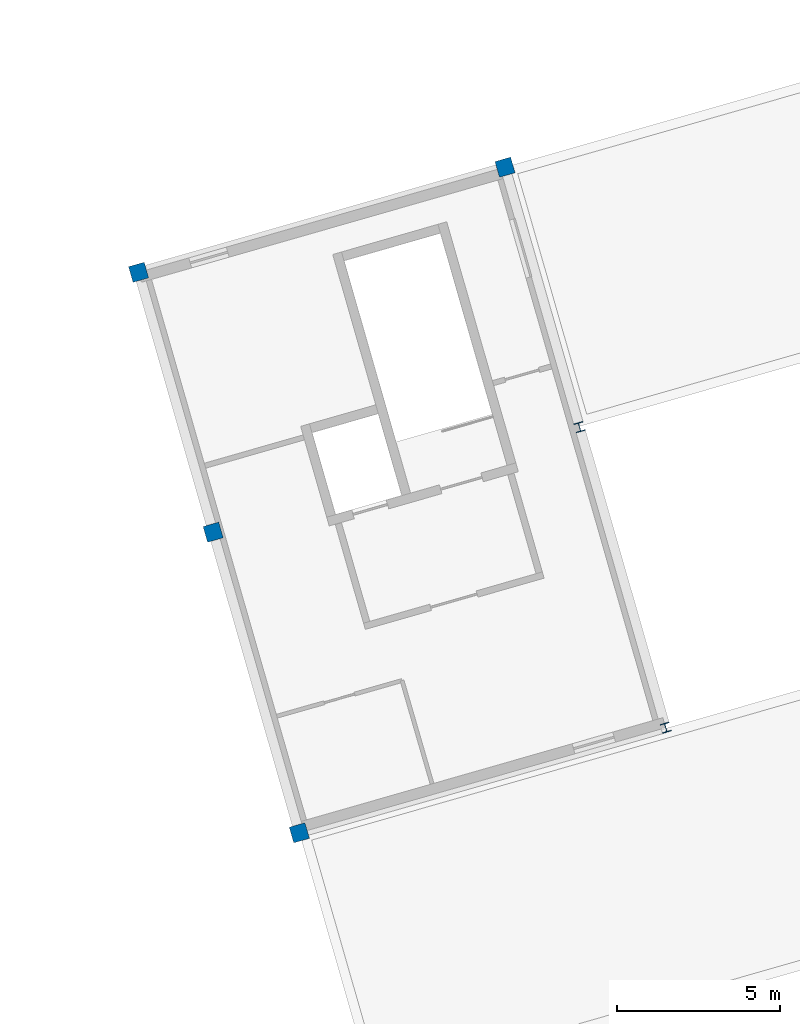
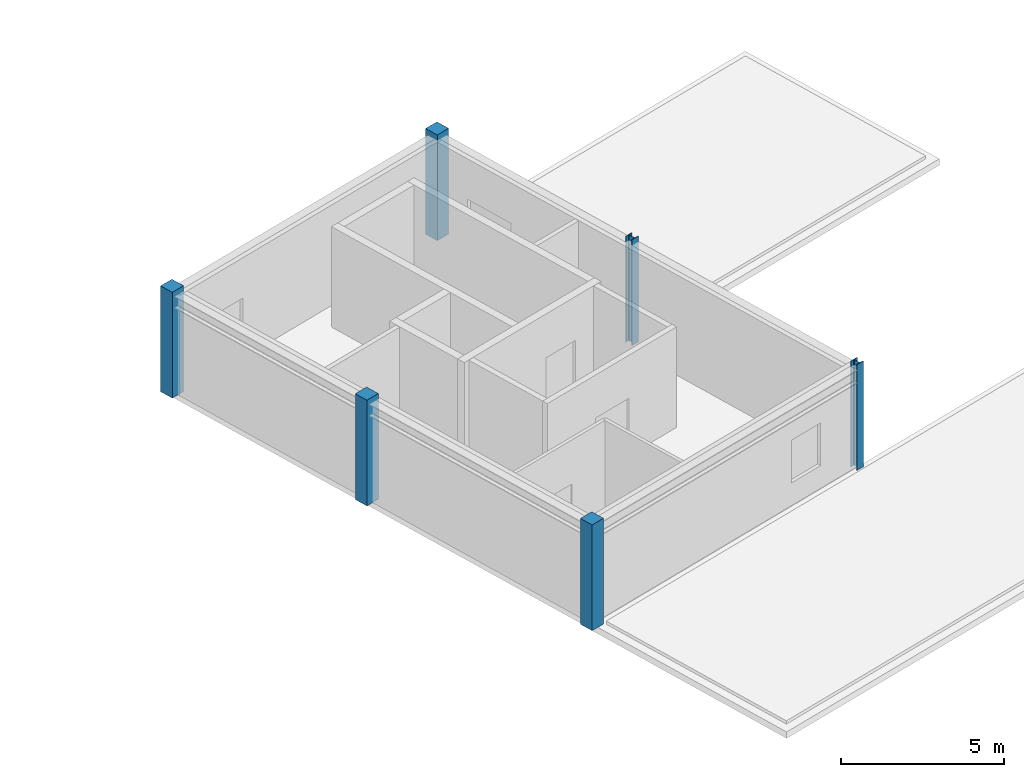
# One storey, part 2 of 11: 6 columns.
"""IFC4 building model written with IfcOpenShell, lengths in metres."""

from ifc_helpers import new_model, si_unit, direction, frame, origin, origin_2d, place, context, subcontext, project, spatial, rectangle, i_section, extrude, material, material_profile, profile_set, type_object, element, save


model = new_model("IFC4")

# Units and contexts
model_context = context("Model", 3, precision=1e-05, world=origin(), true_north=direction((0.0, 1.0)))
body_context = subcontext(model_context, "Body", "Model", "MODEL_VIEW")
ifc_project = project(units=[si_unit("LENGTHUNIT", "METRE"), si_unit("AREAUNIT", "SQUARE_METRE"), si_unit("VOLUMEUNIT", "CUBIC_METRE"), si_unit("PLANEANGLEUNIT", "RADIAN"), si_unit("MASSUNIT", "GRAM", prefix="KILO")], contexts=[model_context])

# Site, building, storey
site_placement = place(None, origin())
site = spatial("IfcSite", under=ifc_project, at=site_placement, CompositionType="ELEMENT")
building_placement = place(site_placement, origin())
building = spatial("IfcBuilding", under=site, at=building_placement, Name="Varnklinge Art Gallery", CompositionType="ELEMENT")
storey_placement = place(building_placement, frame((0.0, 0.0, 17.639892578125)))
storey = spatial("IfcBuildingStorey", under=building, at=storey_placement, Name="L04", CompositionType="ELEMENT", Elevation=17.639892578125)

# Columns
ifc_material_1 = material(Name="Steel S355", Category="steel")
ifc_material_profile_1 = material_profile(ifc_material_1, i_section(OverallWidth=0.280029296875, OverallDepth=0.280029296875, WebThickness=0.010498046875, FlangeThickness=0.01806640625, FilletRadius=0.02392578125, at=origin_2d()), Name="HEB 280")
ifc_profile_set_1 = profile_set([ifc_material_profile_1], Name="Steel S355")
column_type_1 = type_object("IfcColumnType", Name="COL-11", PredefinedType="COLUMN", material=ifc_profile_set_1)
for number, where, z_axis, x_axis, name in (
    (1, (133.78662109375, 21.01171875, 0.0), (0.0, 0.0, 1.0), (0.961261695938, 0.275637355817, 0.0), "L04 Column V6C-2-2"),
    (2, (131.140380859375, 30.23974609375, 0.0), (0.0, 0.0, 1.0), (0.961261695938, 0.275637355817, 0.0), "L04 Column V6C-2-3"),
):
    element("IfcColumn", number, at=place(storey_placement, frame(where, z_axis=z_axis, x_axis=x_axis)), inside=storey, type_object=column_type_1, Name=name, PredefinedType="COLUMN", context=body_context, shape_type="SweptSolid", body=[
        extrude(i_section(OverallWidth=0.280029296875, OverallDepth=0.280029296875, WebThickness=0.010498046875, FlangeThickness=0.01806640625, FilletRadius=0.02392578125, at=origin_2d()), origin(), (0.0, 0.0, 1.0), 3.960205078125),
    ])
ifc_material_2 = material(Name="Concrete C40/50", Category="concrete")
ifc_material_profile_2 = material_profile(ifc_material_2, rectangle(XDim=0.5, YDim=0.5, at=origin_2d()), Name="RC 500x500")
ifc_profile_set_2 = profile_set([ifc_material_profile_2], Name="Concrete C40/50")
column_type_2 = type_object("IfcColumnType", Name="PIL-02", PredefinedType="PILASTER", material=ifc_profile_set_2)
for number, where, z_axis, x_axis, name in (
    (3, (122.539794921875, 17.78662109375, 0.0), (0.0, 0.0, 1.0), (0.961261695938, 0.275637355817, 0.0), "L04 Column V6C-1-2"),
    (4, (119.8935546875, 27.014892578125, 0.0), (0.0, 0.0, 1.0), (0.961261695938, 0.275637355817, 0.0), "L04 Column V6C-1-3"),
    (5, (117.605712890625, 34.9931640625, 0.0), (0.0, 0.0, 1.0), (0.961261695938, 0.275637355817, 0.0), "L04 Column V6C-1-4"),
    (6, (128.8525390625, 38.21826171875, 0.0), (0.0, 0.0, 1.0), (0.961261695938, 0.275637355817, 0.0), "L04 Column V6C-2-4"),
):
    element("IfcColumn", number, at=place(storey_placement, frame(where, z_axis=z_axis, x_axis=x_axis)), inside=storey, type_object=column_type_2, Name=name, PredefinedType="PILASTER", context=body_context, shape_type="SweptSolid", body=[
        extrude(rectangle(XDim=0.5, YDim=0.5, at=origin_2d()), origin(), (0.0, 0.0, 1.0), 3.960205078125),
    ])

save(model, "model.ifc")
